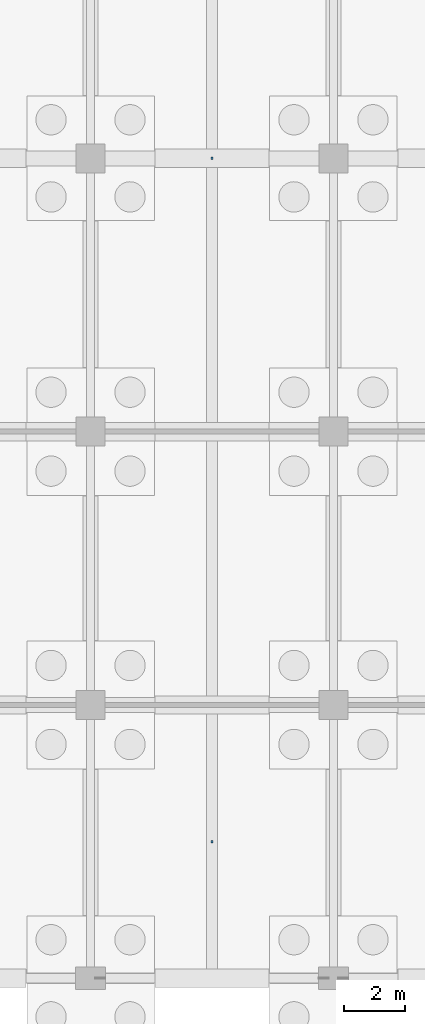
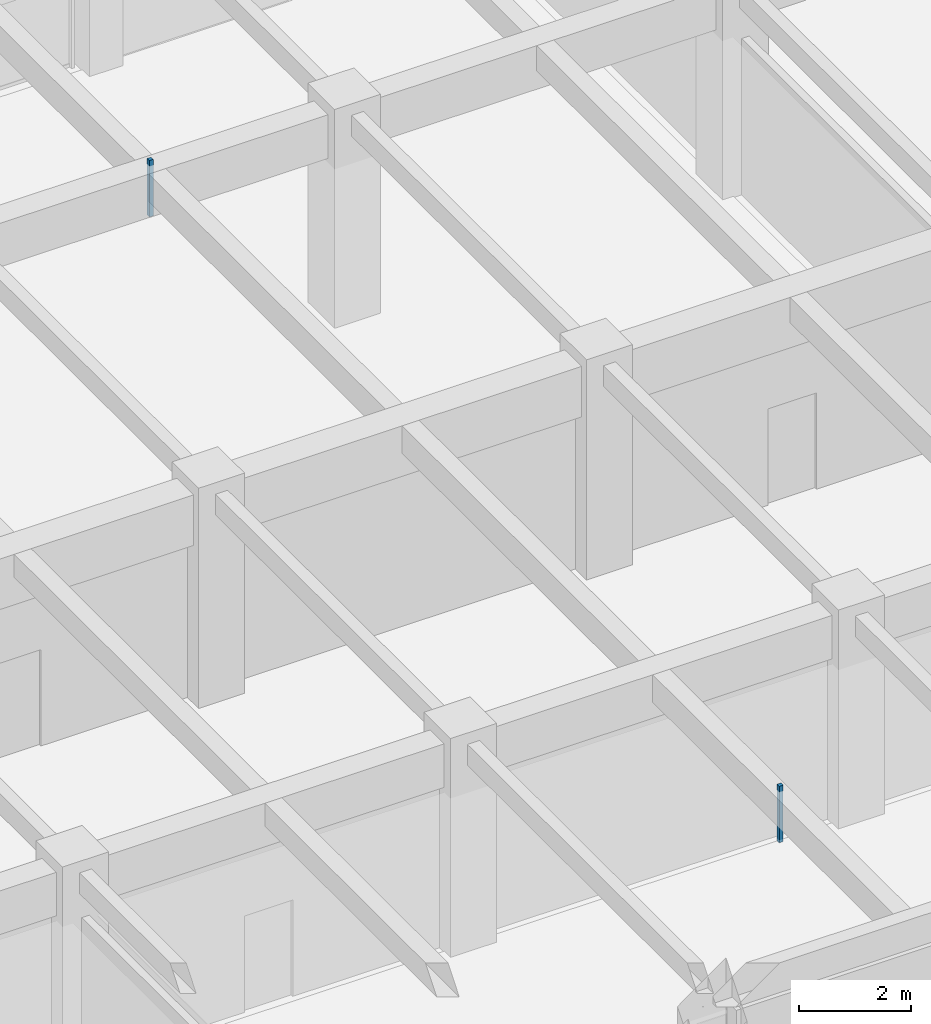
# One storey, part 116 of 147: 2 discrete accessories.
"""IFC4 building model written with IfcOpenShell, lengths in metres."""

from ifc_helpers import new_model, si_unit, direction, frame, origin, origin_2d, place, context, subcontext, project, spatial, rectangle, extrude, material, layer, layer_set, type_object, element, save


model = new_model("IFC4")

# Units and contexts
model_context = context("Model", 3, precision=1e-05, world=origin(), true_north=direction((0.0, 1.0)))
body_context = subcontext(model_context, "Body", "Model", "MODEL_VIEW")
ifc_project = project(units=[si_unit("LENGTHUNIT", "METRE"), si_unit("AREAUNIT", "SQUARE_METRE"), si_unit("VOLUMEUNIT", "CUBIC_METRE"), si_unit("PLANEANGLEUNIT", "RADIAN"), si_unit("MASSUNIT", "GRAM", prefix="KILO")], contexts=[model_context])

# Site, building, storey
site_placement = place(None, origin())
site = spatial("IfcSite", under=ifc_project, at=site_placement, CompositionType="ELEMENT")
building_placement = place(site_placement, origin())
building = spatial("IfcBuilding", under=site, at=building_placement, Name="Varnabhumi Central Station", CompositionType="ELEMENT")
storey_placement = place(building_placement, origin())
storey = spatial("IfcBuildingStorey", under=building, at=storey_placement, Name="L00", CompositionType="ELEMENT", Elevation=0.0)

# Discrete accessories
ifc_material = material(Name="Structural steel E350", Category="steel")
ifc_layer = layer(ifc_material, 0.159912109375, Name="Structural steel E350", Category="steel")
ifc_layer_set = layer_set([ifc_layer], Name="Structural steel E350")
discrete_accessory_type = type_object("IfcDiscreteAccessoryType", Name="ACC-SHADE-BRKT", PredefinedType="BRACKET", material=ifc_layer_set)
for number, where, z_axis, x_axis, name in (
    (1, (28.0, 27.0, 3.43994140625), (0.0, 0.0, 1.0), (1.0, 0.0, 0.0), "Parcel Booking and Weighment Office Ceiling Hanger"),
    (2, (28.0, 4.5, 3.43994140625), (0.0, 0.0, 1.0), (1.0, 0.0, 0.0), "Railway Protection Force Security Post Ceiling Hanger"),
):
    element("IfcDiscreteAccessory", number, at=place(storey_placement, frame(where, z_axis=z_axis, x_axis=x_axis)), inside=storey, type_object=discrete_accessory_type, Name=name, PredefinedType="BRACKET", context=body_context, shape_type="SweptSolid", body=[
        extrude(rectangle(XDim=0.080078125, YDim=0.080078125, at=origin_2d()), origin(), (0.0, 0.0, 1.0), 1.22998046875),
    ])

save(model, "model.ifc")
